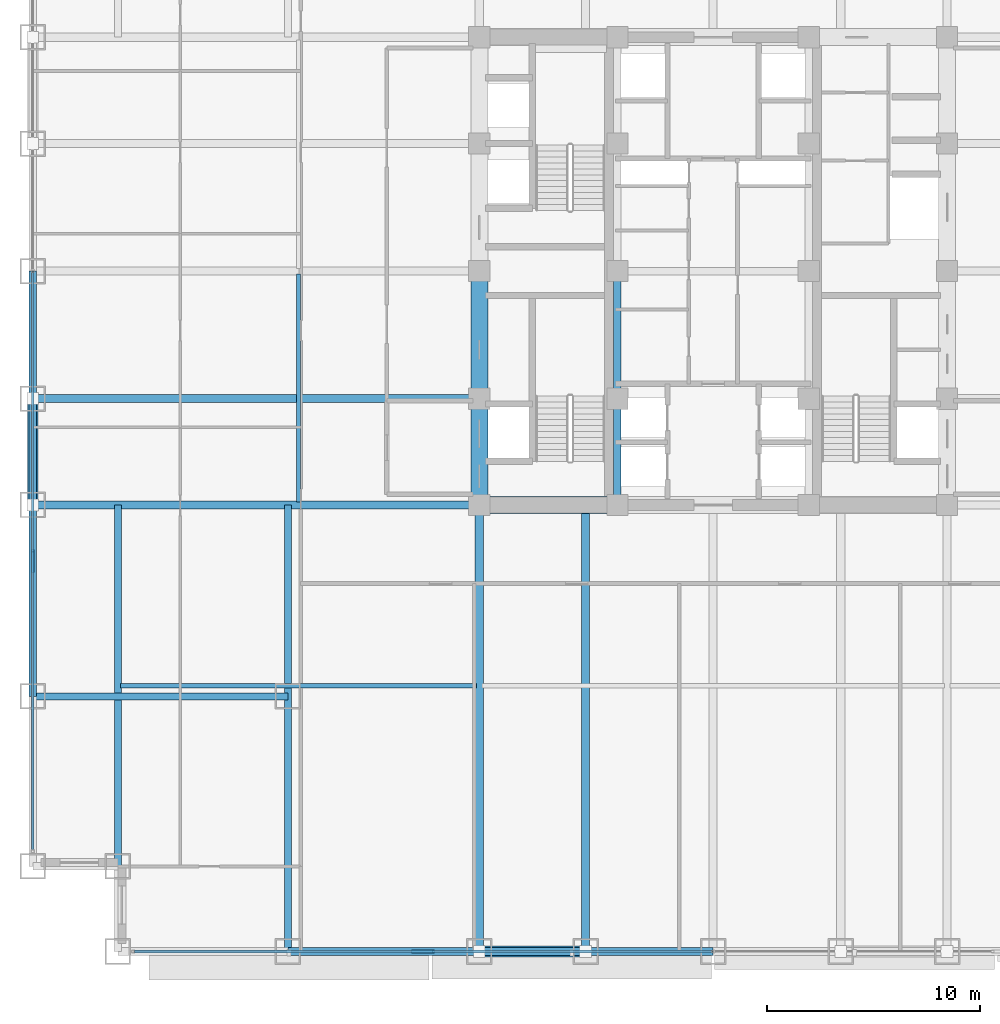
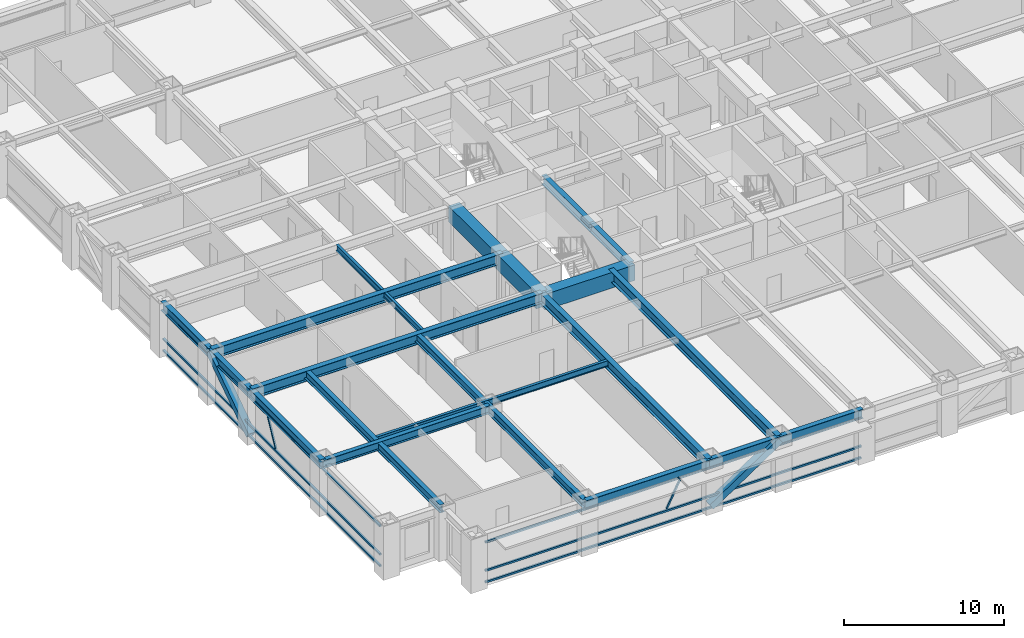
# One storey, part 3 of 32: 20 beams, 10 members, 2 elements without a shape of their own.
"""IFC4 building model written with IfcOpenShell, lengths in metres."""

from ifc_helpers import new_model, si_unit, direction, frame, origin, origin_2d, place, context, subcontext, project, spatial, rectangle, hollow_rectangle, i_section, extrude, source, transform, mapped, material, material_profile, profile_set, type_object, element, aggregate, save


model = new_model("IFC4")

# Units and contexts
model_context = context("Model", 3, precision=1e-05, world=origin(), true_north=direction((0.0, 1.0)))
body_context = subcontext(model_context, "Body", "Model", "MODEL_VIEW")
ifc_project = project(units=[si_unit("LENGTHUNIT", "METRE"), si_unit("AREAUNIT", "SQUARE_METRE"), si_unit("VOLUMEUNIT", "CUBIC_METRE"), si_unit("PLANEANGLEUNIT", "RADIAN"), si_unit("MASSUNIT", "GRAM", prefix="KILO")], contexts=[model_context])

# Site, building, storey
site_placement = place(None, origin())
site = spatial("IfcSite", under=ifc_project, at=site_placement, CompositionType="ELEMENT")
building_placement = place(site_placement, origin())
building = spatial("IfcBuilding", under=site, at=building_placement, Name="Khorayat Bourse Tower", CompositionType="ELEMENT")
storey_placement = place(building_placement, frame((0.0, 0.0, 136.5)))
storey = spatial("IfcBuildingStorey", under=building, at=storey_placement, Name="L31", CompositionType="ELEMENT", Elevation=136.5)

# Beams
ifc_material_1 = material(Name="Concrete C72/90", Category="concrete")
ifc_material_profile_1 = material_profile(ifc_material_1, rectangle(XDim=0.800048828125, YDim=1.199951171875, at=origin_2d()), Name="RC 800x1200")
ifc_profile_set_1 = profile_set([ifc_material_profile_1], Name="Concrete C72/90")
beam_type_1 = type_object("IfcBeamType", Name="BM-COUP-1200", PredefinedType="BEAM", material=ifc_profile_set_1)
shared_shape_1 = source(origin(), body_context, "Body", "SweptSolid", [
    extrude(rectangle(XDim=0.800048828125, YDim=1.199951171875, at=origin_2d()), origin(), (0.0, 0.0, 1.0), 5.0),
])
beam_1_placement = place(storey_placement, frame((-11.0, -11.0, 3.239990234375), z_axis=(0.0, 1.0, 0.0), x_axis=(-1.0, 0.0, 0.0)))
element("IfcBeam", 1, at=beam_1_placement, inside=storey, type_object=beam_type_1, Name="L31 BM-COUP-1200 BM-L31-CRX-01", PredefinedType="BEAM", context=body_context, shape_type="MappedRepresentation", body=[
    mapped(shared_shape_1, transform((0.0, 0.0, 0.0), scale=1.0)),
])
shared_shape_2 = source(origin(), body_context, "Body", "SweptSolid", [
    extrude(rectangle(XDim=0.800048828125, YDim=1.199951171875, at=origin_2d()), origin(), (0.0, 0.0, 1.0), 6.0),
])
beam_2_placement = place(storey_placement, frame((-11.0, -6.0, 3.239990234375), z_axis=(0.0, 1.0, 0.0), x_axis=(-1.0, 0.0, 0.0)))
element("IfcBeam", 2, at=beam_2_placement, inside=storey, type_object=beam_type_1, Name="L31 BM-COUP-1200 BM-L31-CRX-02", PredefinedType="BEAM", context=body_context, shape_type="MappedRepresentation", body=[
    mapped(shared_shape_2, transform((0.0, 0.0, 0.0), scale=1.0)),
])
ifc_material_2 = material(Name="Steel ASTM A992 Grade 50", Category="steel")
ifc_material_profile_2 = material_profile(ifc_material_2, i_section(OverallWidth=0.35498046875, OverallDepth=0.695068359375, WebThickness=0.015380859375, FlangeThickness=0.02490234375, FilletRadius=0.01806640625, at=origin_2d()), Name="W690X217")
ifc_profile_set_2 = profile_set([ifc_material_profile_2], Name="Steel ASTM A992 Grade 50")
beam_type_2 = type_object("IfcBeamType", Name="BM-GIRD-690", PredefinedType="BEAM", material=ifc_profile_set_2)
shared_shape_3 = source(origin(), body_context, "Body", "SweptSolid", [
    extrude(i_section(OverallWidth=0.35498046875, OverallDepth=0.695068359375, WebThickness=0.015380859375, FlangeThickness=0.02490234375, FilletRadius=0.01806640625, at=origin_2d()), origin(), (0.0, 0.0, 1.0), 5.0),
])
beam_3_placement = place(storey_placement, frame((-4.5, -11.0, 3.492431640625), z_axis=(0.0, 1.0, 0.0), x_axis=(-1.0, 0.0, 0.0)))
element("IfcBeam", 3, at=beam_3_placement, inside=storey, type_object=beam_type_2, Name="L31 BM-GIRD-690 BM-L31-CRX-05", PredefinedType="BEAM", context=body_context, shape_type="MappedRepresentation", body=[
    mapped(shared_shape_3, transform((0.0, 0.0, 0.0), scale=1.0)),
])
shared_shape_4 = source(origin(), body_context, "Body", "SweptSolid", [
    extrude(i_section(OverallWidth=0.35498046875, OverallDepth=0.695068359375, WebThickness=0.015380859375, FlangeThickness=0.02490234375, FilletRadius=0.01806640625, at=origin_2d()), origin(), (0.0, 0.0, 1.0), 6.0),
])
beam_4_placement = place(storey_placement, frame((-4.5, -6.0, 3.492431640625), z_axis=(0.0, 1.0, 0.0), x_axis=(-1.0, 0.0, 0.0)))
element("IfcBeam", 4, at=beam_4_placement, inside=storey, type_object=beam_type_2, Name="L31 BM-GIRD-690 BM-L31-CRX-06", PredefinedType="BEAM", context=body_context, shape_type="MappedRepresentation", body=[
    mapped(shared_shape_4, transform((0.0, 0.0, 0.0), scale=1.0)),
])
shared_shape_5 = source(origin(), body_context, "Body", "SweptSolid", [
    extrude(rectangle(XDim=0.800048828125, YDim=1.199951171875, at=origin_2d()), origin(), (0.0, 0.0, 1.0), 6.5),
])
beam_5_placement = place(storey_placement, frame((-11.0, -11.0, 3.239990234375), z_axis=(1.0, 0.0, 0.0), x_axis=(0.0, 1.0, 0.0)))
element("IfcBeam", 5, at=beam_5_placement, inside=storey, type_object=beam_type_1, Name="L31 BM-COUP-1200 BM-L31-CRY-17", PredefinedType="BEAM", context=body_context, shape_type="MappedRepresentation", body=[
    mapped(shared_shape_5, transform((0.0, 0.0, 0.0), scale=1.0)),
])
ifc_material_profile_3 = material_profile(ifc_material_2, i_section(OverallWidth=0.35498046875, OverallDepth=0.695068359375, WebThickness=0.015380859375, FlangeThickness=0.02490234375, FilletRadius=0.01806640625, at=origin_2d()), Name="W690X217")
ifc_profile_set_3 = profile_set([ifc_material_profile_3], Name="Steel ASTM A992 Grade 50")
beam_type_3 = type_object("IfcBeamType", Name="BM-SPAN-690", PredefinedType="SPANDREL", material=ifc_profile_set_3)
shared_shape_6 = source(origin(), body_context, "Body", "SweptSolid", [
    extrude(i_section(OverallWidth=0.35498046875, OverallDepth=0.695068359375, WebThickness=0.015380859375, FlangeThickness=0.02490234375, FilletRadius=0.01806640625, at=origin_2d()), origin(), (0.0, 0.0, 1.0), 9.0),
])
for number, where, z_axis, x_axis, name in (
    (6, (-20.0, -32.0, 3.492431640625), (1.0, 0.0, 0.0), (0.0, 1.0, 0.0), "L31 BM-SPAN-690 BM-L31-SPN-025"),
    (7, (-32.0, -20.0, 3.492431640625), (0.0, 1.0, 0.0), (-1.0, 0.0, 0.0), "L31 BM-SPAN-690 BM-L31-SPN-060"),
):
    element("IfcBeam", number, at=place(storey_placement, frame(where, z_axis=z_axis, x_axis=x_axis)), inside=storey, type_object=beam_type_3, Name=name, PredefinedType="SPANDREL", context=body_context, shape_type="MappedRepresentation", body=[
        mapped(shared_shape_6, transform((0.0, 0.0, 0.0), scale=1.0)),
    ])
shared_shape_7 = source(origin(), body_context, "Body", "SweptSolid", [
    extrude(i_section(OverallWidth=0.35498046875, OverallDepth=0.695068359375, WebThickness=0.015380859375, FlangeThickness=0.02490234375, FilletRadius=0.01806640625, at=origin_2d()), origin(), (0.0, 0.0, 1.0), 5.0),
])
for number, where, z_axis, x_axis, name in (
    (8, (-11.0, -32.0, 3.492431640625), (1.0, 0.0, 0.0), (0.0, 1.0, 0.0), "L31 BM-SPAN-690 BM-L31-SPN-026"),
    (9, (-32.0, -11.0, 3.492431640625), (0.0, 1.0, 0.0), (-1.0, 0.0, 0.0), "L31 BM-SPAN-690 BM-L31-SPN-059"),
):
    element("IfcBeam", number, at=place(storey_placement, frame(where, z_axis=z_axis, x_axis=x_axis)), inside=storey, type_object=beam_type_3, Name=name, PredefinedType="SPANDREL", context=body_context, shape_type="MappedRepresentation", body=[
        mapped(shared_shape_7, transform((0.0, 0.0, 0.0), scale=1.0)),
    ])
shared_shape_8 = source(origin(), body_context, "Body", "SweptSolid", [
    extrude(i_section(OverallWidth=0.35498046875, OverallDepth=0.695068359375, WebThickness=0.015380859375, FlangeThickness=0.02490234375, FilletRadius=0.01806640625, at=origin_2d()), origin(), (0.0, 0.0, 1.0), 6.0),
])
for number, where, z_axis, x_axis, name in (
    (10, (-6.0, -32.0, 3.492431640625), (1.0, 0.0, 0.0), (0.0, 1.0, 0.0), "L31 BM-SPAN-690 BM-L31-SPN-027"),
    (11, (-32.0, -6.0, 3.492431640625), (0.0, 1.0, 0.0), (-1.0, 0.0, 0.0), "L31 BM-SPAN-690 BM-L31-SPN-058"),
):
    element("IfcBeam", number, at=place(storey_placement, frame(where, z_axis=z_axis, x_axis=x_axis)), inside=storey, type_object=beam_type_3, Name=name, PredefinedType="SPANDREL", context=body_context, shape_type="MappedRepresentation", body=[
        mapped(shared_shape_8, transform((0.0, 0.0, 0.0), scale=1.0)),
    ])
ifc_material_profile_4 = material_profile(ifc_material_2, i_section(OverallWidth=0.324951171875, OverallDepth=0.615966796875, WebThickness=0.013916015625, FlangeThickness=0.021484375, FilletRadius=0.01611328125, at=origin_2d()), Name="W610X174")
ifc_profile_set_4 = profile_set([ifc_material_profile_4], Name="Steel ASTM A992 Grade 50")
beam_type_4 = type_object("IfcBeamType", Name="BM-GIRD-610", PredefinedType="BEAM", material=ifc_profile_set_4)
shared_shape_9 = source(origin(), body_context, "Body", "SweptSolid", [
    extrude(i_section(OverallWidth=0.324951171875, OverallDepth=0.615966796875, WebThickness=0.013916015625, FlangeThickness=0.021484375, FilletRadius=0.01611328125, at=origin_2d()), origin(), (0.0, 0.0, 1.0), 21.0),
])
beam_6_placement = place(storey_placement, frame((-20.0, -32.0, 3.531982421875), z_axis=(0.0, 1.0, 0.0), x_axis=(-1.0, 0.0, 0.0)))
element("IfcBeam", 12, at=beam_6_placement, inside=storey, type_object=beam_type_4, Name="L31 BM-GIRD-610 BM-L31-CNRY-084", PredefinedType="BEAM", context=body_context, shape_type="MappedRepresentation", body=[
    mapped(shared_shape_9, transform((0.0, 0.0, 0.0), scale=1.0)),
])
shared_shape_10 = source(origin(), body_context, "Body", "SweptSolid", [
    extrude(i_section(OverallWidth=0.324951171875, OverallDepth=0.615966796875, WebThickness=0.013916015625, FlangeThickness=0.021484375, FilletRadius=0.01611328125, at=origin_2d()), origin(), (0.0, 0.0, 1.0), 12.0),
])
beam_7_placement = place(storey_placement, frame((-32.0, -20.0, 3.531982421875), z_axis=(1.0, 0.0, 0.0), x_axis=(0.0, 1.0, 0.0)))
element("IfcBeam", 13, at=beam_7_placement, inside=storey, type_object=beam_type_4, Name="L31 BM-GIRD-610 BM-L31-CNRX-093", PredefinedType="BEAM", context=body_context, shape_type="MappedRepresentation", body=[
    mapped(shared_shape_10, transform((0.0, 0.0, 0.0), scale=1.0)),
])
ifc_material_profile_5 = material_profile(ifc_material_2, i_section(OverallWidth=0.194091796875, OverallDepth=0.468994140625, WebThickness=0.0126953125, FlangeThickness=0.0205078125, FilletRadius=0.012939453125, at=origin_2d()), Name="W460X106")
ifc_profile_set_5 = profile_set([ifc_material_profile_5], Name="Steel ASTM A992 Grade 50")
beam_type_5 = type_object("IfcBeamType", Name="BM-JOIST-460", PredefinedType="JOIST", material=ifc_profile_set_5)
shared_shape_11 = source(origin(), body_context, "Body", "SweptSolid", [
    extrude(i_section(OverallWidth=0.194091796875, OverallDepth=0.468994140625, WebThickness=0.0126953125, FlangeThickness=0.0205078125, FilletRadius=0.012939453125, at=origin_2d()), origin(), (0.0, 0.0, 1.0), 10.740234375),
])
beam_8_placement = place(storey_placement, frame((-19.5, -10.8701171875, 3.60546875), z_axis=(0.0, 1.0, 0.0), x_axis=(-1.0, 0.0, 0.0)))
element("IfcBeam", 14, at=beam_8_placement, inside=storey, type_object=beam_type_5, Name="L31 BM-JOIST-460 BM-L31-JSTY-102", PredefinedType="JOIST", context=body_context, shape_type="MappedRepresentation", body=[
    mapped(shared_shape_11, transform((0.0, 0.0, 0.0), scale=1.0)),
])
ifc_material_profile_6 = material_profile(ifc_material_2, i_section(OverallWidth=0.381103515625, OverallDepth=0.77294921875, WebThickness=0.0166015625, FlangeThickness=0.027587890625, FilletRadius=0.01806640625, at=origin_2d()), Name="W760X257")
ifc_profile_set_6 = profile_set([ifc_material_profile_6], Name="Steel ASTM A992 Grade 50")
beam_type_6 = type_object("IfcBeamType", Name="BM-GIRD-760", PredefinedType="BEAM", material=ifc_profile_set_6)
shared_shape_12 = source(origin(), body_context, "Body", "SweptSolid", [
    extrude(i_section(OverallWidth=0.381103515625, OverallDepth=0.77294921875, WebThickness=0.0166015625, FlangeThickness=0.027587890625, FilletRadius=0.01806640625, at=origin_2d()), origin(), (0.0, 0.0, 1.0), 21.0),
])
for number, where, z_axis, x_axis, name in (
    (15, (-11.0, -32.0, 3.45361328125), (0.0, 1.0, 0.0), (-1.0, 0.0, 0.0), "L31 BM-GIRD-760 BM-L31-RADY-065"),
    (16, (-6.0, -32.0, 3.45361328125), (0.0, 1.0, 0.0), (-1.0, 0.0, 0.0), "L31 BM-GIRD-760 BM-L31-RADY-067"),
    (17, (-32.0, -11.0, 3.45361328125), (1.0, 0.0, 0.0), (0.0, 1.0, 0.0), "L31 BM-GIRD-760 BM-L31-RADX-075"),
    (18, (-32.0, -6.0, 3.45361328125), (1.0, 0.0, 0.0), (0.0, 1.0, 0.0), "L31 BM-GIRD-760 BM-L31-RADX-077"),
):
    element("IfcBeam", number, at=place(storey_placement, frame(where, z_axis=z_axis, x_axis=x_axis)), inside=storey, type_object=beam_type_6, Name=name, PredefinedType="BEAM", context=body_context, shape_type="MappedRepresentation", body=[
        mapped(shared_shape_12, transform((0.0, 0.0, 0.0), scale=1.0)),
    ])
shared_shape_13 = source(origin(), body_context, "Body", "SweptSolid", [
    extrude(i_section(OverallWidth=0.324951171875, OverallDepth=0.615966796875, WebThickness=0.013916015625, FlangeThickness=0.021484375, FilletRadius=0.01611328125, at=origin_2d()), origin(), (0.0, 0.0, 1.0), 17.0),
])
beam_9_placement = place(storey_placement, frame((-28.0, -28.0, 3.531982421875), z_axis=(0.0, 1.0, 0.0), x_axis=(-1.0, 0.0, 0.0)))
element("IfcBeam", 19, at=beam_9_placement, inside=storey, type_object=beam_type_4, Name="L31 BM-GIRD-610 BM-L31-CNRY-088", PredefinedType="BEAM", context=body_context, shape_type="MappedRepresentation", body=[
    mapped(shared_shape_13, transform((0.0, 0.0, 0.0), scale=1.0)),
])
shared_shape_14 = source(origin(), body_context, "Body", "SweptSolid", [
    extrude(i_section(OverallWidth=0.194091796875, OverallDepth=0.468994140625, WebThickness=0.0126953125, FlangeThickness=0.0205078125, FilletRadius=0.012939453125, at=origin_2d()), origin(), (0.0, 0.0, 1.0), 16.740234375),
])
beam_10_placement = place(storey_placement, frame((-27.8701171875, -19.5, 3.60546875), z_axis=(1.0, 0.0, 0.0), x_axis=(0.0, 1.0, 0.0)))
element("IfcBeam", 20, at=beam_10_placement, inside=storey, type_object=beam_type_5, Name="L31 BM-JOIST-460 BM-L31-JSTX-096", PredefinedType="JOIST", context=body_context, shape_type="MappedRepresentation", body=[
    mapped(shared_shape_14, transform((0.0, 0.0, 0.0), scale=1.0)),
])

# Members
ifc_material_3 = material(Name="Steel EN 10025-4 S460M", Category="steel")
ifc_material_profile_7 = material_profile(ifc_material_3, hollow_rectangle(XDim=0.5, YDim=0.5, WallThickness=0.028076171875, at=origin_2d()), Name="HSS 500x500x28")
ifc_profile_set_7 = profile_set([ifc_material_profile_7], Name="Steel EN 10025-4 S460M")
member_type_1 = type_object("IfcMemberType", Name="MBR-TUBE-500", PredefinedType="BRACE", material=ifc_profile_set_7)
shared_shape_15 = source(origin(), body_context, "Body", "SweptSolid", [
    extrude(hollow_rectangle(XDim=0.5, YDim=0.5, WallThickness=0.028076171875, at=origin_2d()), origin(), (0.0, 0.0, 1.0), 6.012939453125),
])
for number, where, z_axis, x_axis, name in (
    (21, (-11.0, -32.0, 0.25), (0.831531473026, 0.0, 0.555477640745), (0.0, 1.0, 0.0), "L31 Perimeter Tube Brace 01"),
    (22, (-32.0, -11.0, 0.25), (0.0, 0.831531473026, 0.555477640745), (-1.0, 0.0, 0.0), "L31 Perimeter Tube Brace 05"),
):
    element("IfcMember", number, at=place(storey_placement, frame(where, z_axis=z_axis, x_axis=x_axis)), inside=storey, type_object=member_type_1, Name=name, PredefinedType="BRACE", context=body_context, shape_type="MappedRepresentation", body=[
        mapped(shared_shape_15, transform((0.0, 0.0, 0.0), scale=1.0)),
    ])

# Curtain wall, members
ifc_material_4 = material(Name="Aluminium EN AW-6063 T6", Category="aluminium")
curtain_wall_type = type_object("IfcCurtainWallType", Name="CW-SYS-02", PredefinedType="NOTDEFINED", material=ifc_material_4)
curtain_wall_1_placement = place(storey_placement, origin())
curtain_wall_1 = element("IfcCurtainWall", 23, at=curtain_wall_1_placement, inside=storey, type_object=curtain_wall_type, Name="L31 Curtain Wall CW-L31-S1", PredefinedType="NOTDEFINED")
ifc_material_profile_8 = material_profile(ifc_material_4, hollow_rectangle(XDim=0.139892578125, YDim=0.139892578125, WallThickness=0.006103515625, at=origin_2d()), Name="ALU 140x140x6")
ifc_profile_set_8 = profile_set([ifc_material_profile_8], Name="Aluminium EN AW-6063 T6")
member_type_2 = type_object("IfcMemberType", Name="CWT-HORZ-140", PredefinedType="USERDEFINED", material=ifc_profile_set_8)
shared_shape_16 = source(origin(), body_context, "Body", "SweptSolid", [
    extrude(hollow_rectangle(XDim=0.139892578125, YDim=0.139892578125, WallThickness=0.006103515625, at=origin_2d()), origin(), (0.0, 0.0, 1.0), 27.139892578125),
])
member_1_placement = place(storey_placement, frame((-27.2099609375, -32.0, 0.070068359375), z_axis=(1.0, 0.0, 0.0), x_axis=(0.0, 1.0, 0.0)))
member_1 = element("IfcMember", 24, at=member_1_placement, type_object=member_type_2, Name="CW-L31-S1 Horizontal Transom 1-1", ObjectType="TRANSOM", PredefinedType="USERDEFINED", context=body_context, shape_type="MappedRepresentation", body=[
    mapped(shared_shape_16, transform((0.0, 0.0, 0.0), scale=1.0)),
])
member_2_placement = place(storey_placement, frame((-27.2099609375, -32.0, 0.949951171875), z_axis=(1.0, 0.0, 0.0), x_axis=(0.0, 1.0, 0.0)))
member_2 = element("IfcMember", 25, at=member_2_placement, type_object=member_type_2, Name="CW-L31-S1 Horizontal Transom 1-2", ObjectType="TRANSOM", PredefinedType="USERDEFINED", context=body_context, shape_type="MappedRepresentation", body=[
    mapped(shared_shape_16, transform((0.0, 0.0, 0.0), scale=1.0)),
])
member_3_placement = place(storey_placement, frame((-27.2099609375, -32.0, 3.1201171875), z_axis=(1.0, 0.0, 0.0), x_axis=(0.0, 1.0, 0.0)))
member_3 = element("IfcMember", 26, at=member_3_placement, type_object=member_type_2, Name="CW-L31-S1 Horizontal Transom 1-3", ObjectType="TRANSOM", PredefinedType="USERDEFINED", context=body_context, shape_type="MappedRepresentation", body=[
    mapped(shared_shape_16, transform((0.0, 0.0, 0.0), scale=1.0)),
])

curtain_wall_2_placement = place(storey_placement, origin())
curtain_wall_2 = element("IfcCurtainWall", 27, at=curtain_wall_2_placement, inside=storey, type_object=curtain_wall_type, Name="L31 Curtain Wall CW-L31-W1", PredefinedType="NOTDEFINED")
member_4_placement = place(storey_placement, frame((-32.0, -27.2099609375, 0.070068359375), z_axis=(0.0, 1.0, 0.0), x_axis=(-1.0, 0.0, 0.0)))
member_4 = element("IfcMember", 28, at=member_4_placement, type_object=member_type_2, Name="CW-L31-W1 Horizontal Transom 1-1", ObjectType="TRANSOM", PredefinedType="USERDEFINED", context=body_context, shape_type="MappedRepresentation", body=[
    mapped(shared_shape_16, transform((0.0, 0.0, 0.0), scale=1.0)),
])
member_5_placement = place(storey_placement, frame((-32.0, -27.2099609375, 0.949951171875), z_axis=(0.0, 1.0, 0.0), x_axis=(-1.0, 0.0, 0.0)))
member_5 = element("IfcMember", 29, at=member_5_placement, type_object=member_type_2, Name="CW-L31-W1 Horizontal Transom 1-2", ObjectType="TRANSOM", PredefinedType="USERDEFINED", context=body_context, shape_type="MappedRepresentation", body=[
    mapped(shared_shape_16, transform((0.0, 0.0, 0.0), scale=1.0)),
])
member_6_placement = place(storey_placement, frame((-32.0, -27.2099609375, 3.1201171875), z_axis=(0.0, 1.0, 0.0), x_axis=(-1.0, 0.0, 0.0)))
member_6 = element("IfcMember", 30, at=member_6_placement, type_object=member_type_2, Name="CW-L31-W1 Horizontal Transom 1-3", ObjectType="TRANSOM", PredefinedType="USERDEFINED", context=body_context, shape_type="MappedRepresentation", body=[
    mapped(shared_shape_16, transform((0.0, 0.0, 0.0), scale=1.0)),
])

# Member
ifc_material_profile_9 = material_profile(ifc_material_4, hollow_rectangle(XDim=0.1201171875, YDim=0.1201171875, WallThickness=0.0048828125, at=origin_2d()), Name="ALU 120x120x5")
ifc_profile_set_9 = profile_set([ifc_material_profile_9], Name="Aluminium EN AW-6063 T6")
member_type_3 = type_object("IfcMemberType", Name="CWM-DIAG-120", PredefinedType="MULLION", material=ifc_profile_set_9)
shared_shape_17 = source(origin(), body_context, "Body", "SweptSolid", [
    extrude(hollow_rectangle(XDim=0.1201171875, YDim=0.1201171875, WallThickness=0.0048828125, at=origin_2d()), origin(), (0.0, 0.0, 1.0), 2.113037109375),
])
member_7_placement = place(storey_placement, frame((-14.132080078125, -32.0, 1.10009765625), z_axis=(0.465741670874, 0.0, 0.884920728659), x_axis=(0.0, 1.0, 0.0)))
member_7 = element("IfcMember", 31, at=member_7_placement, type_object=member_type_3, Name="CW-L31-S1 Faceted Diagonal Mullion 1", PredefinedType="MULLION", context=body_context, shape_type="MappedRepresentation", body=[
    mapped(shared_shape_17, transform((0.0, 0.0, 0.0), scale=1.0)),
])

aggregate(curtain_wall_1, [member_1, member_2, member_3, member_7])

member_8_placement = place(storey_placement, frame((-32.0, -14.132080078125, 1.10009765625), z_axis=(0.0, 0.465741670874, 0.884920728659), x_axis=(-1.0, 0.0, 0.0)))
member_8 = element("IfcMember", 32, at=member_8_placement, type_object=member_type_3, Name="CW-L31-W1 Faceted Diagonal Mullion 1", PredefinedType="MULLION", context=body_context, shape_type="MappedRepresentation", body=[
    mapped(shared_shape_17, transform((0.0, 0.0, 0.0), scale=1.0)),
])

aggregate(curtain_wall_2, [member_4, member_5, member_6, member_8])

save(model, "model.ifc")
